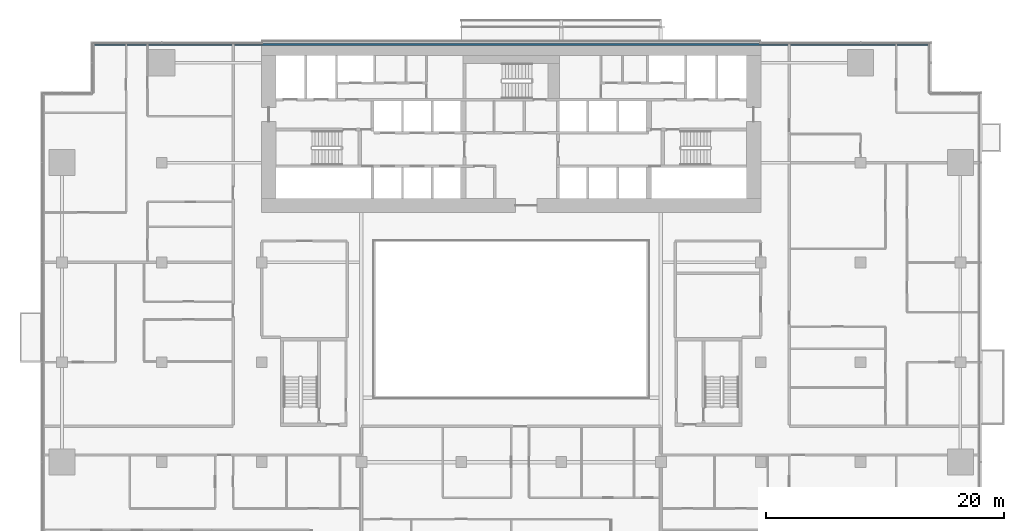
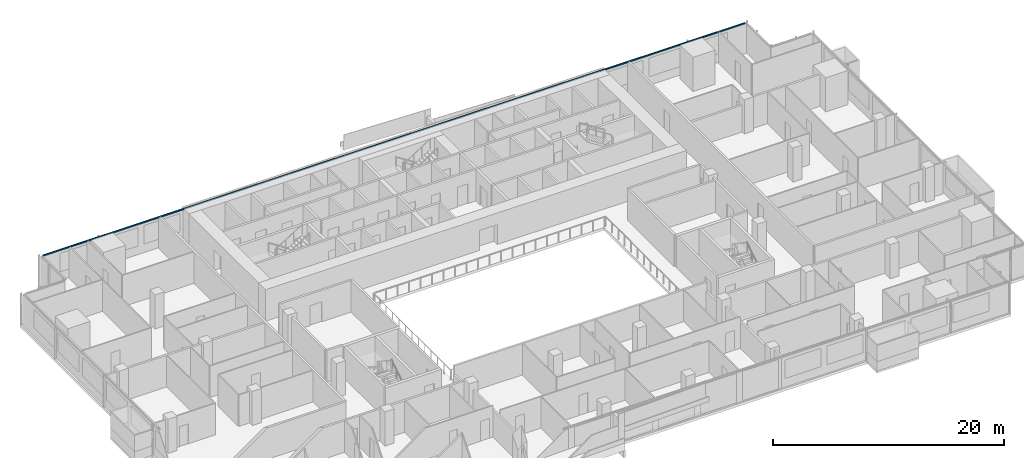
# One storey, part 9 of 26: 1 member, 1 element without a shape of its own.
"""IFC4 building model written with IfcOpenShell, lengths in metres."""

from ifc_helpers import new_model, si_unit, direction, frame, origin, origin_2d, place, context, subcontext, project, spatial, rectangle, extrude, material, material_profile, profile_set, type_object, element, aggregate, save


model = new_model("IFC4")

# Units and contexts
model_context = context("Model", 3, precision=1e-05, world=origin(), true_north=direction((0.0, 1.0)))
body_context = subcontext(model_context, "Body", "Model", "MODEL_VIEW")
ifc_project = project(units=[si_unit("LENGTHUNIT", "METRE"), si_unit("AREAUNIT", "SQUARE_METRE"), si_unit("VOLUMEUNIT", "CUBIC_METRE"), si_unit("PLANEANGLEUNIT", "RADIAN"), si_unit("MASSUNIT", "GRAM", prefix="KILO")], contexts=[model_context])

# Site, building, storey
site_placement = place(None, origin())
site = spatial("IfcSite", under=ifc_project, at=site_placement, CompositionType="ELEMENT")
building_placement = place(site_placement, origin())
building = spatial("IfcBuilding", under=site, at=building_placement, Name="Saffron Gate Tower", CompositionType="ELEMENT")
storey_placement = place(building_placement, frame((0.0, 0.0, 62.39990234375)))
storey = spatial("IfcBuildingStorey", under=building, at=storey_placement, Name="L14", CompositionType="ELEMENT", Elevation=62.39990234375)

# Curtain wall, member
ifc_material = material(Name="Aluminium, bronze anodised", Category="aluminium")
curtain_wall_type = type_object("IfcCurtainWallType", Name="CWS3 curtain wall rear facade", PredefinedType="NOTDEFINED", material=ifc_material)
curtain_wall_placement = place(storey_placement, origin())
curtain_wall = element("IfcCurtainWall", 1, at=curtain_wall_placement, inside=storey, type_object=curtain_wall_type, Name="CWS3 run 7", PredefinedType="NOTDEFINED")
ifc_material_profile = material_profile(ifc_material, rectangle(XDim=0.1201171875, YDim=0.1201171875, at=origin_2d()))
ifc_profile_set = profile_set([ifc_material_profile], Name="Aluminium, bronze anodised")
member_type = type_object("IfcMemberType", Name="CWS3 head transom", PredefinedType="USERDEFINED", material=ifc_profile_set)
member_placement = place(storey_placement, frame((122.632080078125, 75.35205078125, 3.260009765625), z_axis=(-1.0, 0.0, 0.0), x_axis=(0.0, -1.0, 0.0)))
member = element("IfcMember", 2, at=member_placement, type_object=member_type, Name="CWS3 head transom", ObjectType="TRANSOM", PredefinedType="USERDEFINED", context=body_context, shape_type="SweptSolid", body=[
    extrude(rectangle(XDim=0.1201171875, YDim=0.1201171875, at=origin_2d()), origin(), (0.0, 0.0, 1.0), 70.06396484375),
])
aggregate(curtain_wall, [member])

save(model, "model.ifc")
